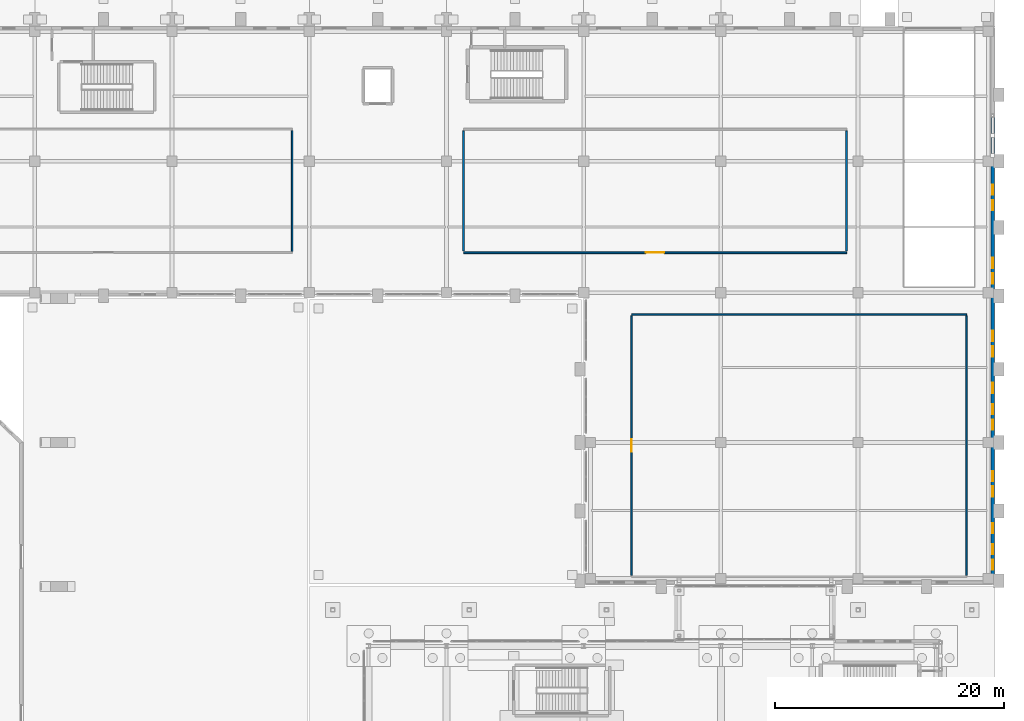
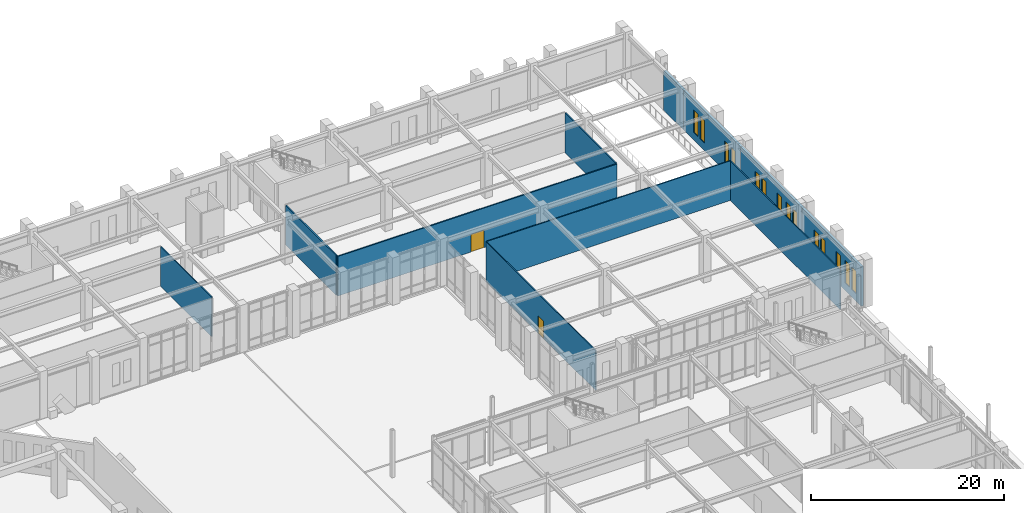
# One storey, part 118 of 143: 14 windows, 11 walls, 2 doors, 16 openings.
"""IFC4 building model written with IfcOpenShell, lengths in metres."""

from ifc_helpers import new_model, si_unit, derived_unit, direction, frame, frame_2d, origin, place, context, subcontext, project, spatial, rectangle, extrude, material, layer, layer_set, type_object, element, fill, save


model = new_model("IFC4")

# Units and contexts
model_context = context("Model", 3, precision=1e-05, world=origin(), true_north=direction((0.0, 1.0)))
body_context = subcontext(model_context, "Body", "Model", "MODEL_VIEW")
ifc_project = project(units=[si_unit("LENGTHUNIT", "METRE"), si_unit("AREAUNIT", "SQUARE_METRE"), si_unit("VOLUMEUNIT", "CUBIC_METRE"), si_unit("PLANEANGLEUNIT", "RADIAN"), si_unit("MASSUNIT", "GRAM", prefix="KILO"), derived_unit("THERMALTRANSMITTANCEUNIT", [(si_unit("MASSUNIT", "GRAM", prefix="KILO"), 1), (si_unit("TIMEUNIT", "SECOND"), -3), (si_unit("THERMODYNAMICTEMPERATUREUNIT", "KELVIN"), -1)])], contexts=[model_context])

# Site, building, storey
site_placement = place(None, origin())
site = spatial("IfcSite", under=ifc_project, at=site_placement, CompositionType="ELEMENT")
building_placement = place(site_placement, origin())
building = spatial("IfcBuilding", under=site, at=building_placement, Name="Valcora Ridge Arena", CompositionType="ELEMENT")
storey_placement = place(building_placement, origin())
storey = spatial("IfcBuildingStorey", under=building, at=storey_placement, Name="L00", CompositionType="ELEMENT", Elevation=0.0)

# Wall, openings, windows
ifc_material_1 = material(Name="Bush-hammered Andean travertine on concrete backup C40/50", Category="masonry")
ifc_layer_1 = layer(ifc_material_1, 0.280029296875, Name="Bush-hammered Andean travertine on concrete backup C40/50")
ifc_layer_set_1 = layer_set([ifc_layer_1], Name="Bush-hammered Andean travertine on concrete backup C40/50")
wall_type_1 = type_object("IfcWallType", Name="TY-WALL-EW-TRV-28-50", PredefinedType="STANDARD", material=ifc_layer_set_1)
wall_1_placement = place(storey_placement, frame((191.780029296875, 83.35009765625, 0.0), z_axis=(0.0, 0.0, 1.0), x_axis=(0.0, 1.0, 0.0)))
wall_1 = element("IfcWall", 1, at=wall_1_placement, inside=storey, type_object=wall_type_1, Name="EW-TRV-28-50 WAL-EW-0121", PredefinedType="STANDARD", context=body_context, shape_type="SweptSolid", body=[
    extrude(rectangle(XDim=12.25, YDim=0.280029296875, at=frame_2d((6.125, 0.0))), origin(), (0.0, 0.0, 1.0), 5.028076171875),
])
opening_1_placement = place(wall_1_placement, frame((1.10009765625, 0.0, 0.949951171875)))
opening_1 = element("IfcOpeningElement", 2, at=opening_1_placement, cuts=wall_1, Name="Opening W-GLAN-90X285", PredefinedType="OPENING", context=body_context, shape_type="SweptSolid", body=[
    extrude(rectangle(XDim=0.89990234375, YDim=2.85009765625, at=frame_2d((0.449951171875, 1.425048828125))), frame((0.0, 0.14990234375, 0.0), z_axis=(0.0, -1.0, 0.0), x_axis=(1.0, 0.0, 0.0)), (0.0, 0.0, 1.0), 0.300048828125),
])
opening_2_placement = place(wall_1_placement, frame((2.449951171875, 0.0, 0.949951171875)))
opening_2 = element("IfcOpeningElement", 3, at=opening_2_placement, cuts=wall_1, Name="Opening W-GLAN-90X285", PredefinedType="OPENING", context=body_context, shape_type="SweptSolid", body=[
    extrude(rectangle(XDim=0.89990234375, YDim=2.85009765625, at=frame_2d((0.449951171875, 1.425048828125))), frame((0.0, 0.14990234375, 0.0), z_axis=(0.0, -1.0, 0.0), x_axis=(1.0, 0.0, 0.0)), (0.0, 0.0, 1.0), 0.300048828125),
])
opening_3_placement = place(wall_1_placement, frame((4.300048828125, 0.0, 0.949951171875)))
opening_3 = element("IfcOpeningElement", 4, at=opening_3_placement, cuts=wall_1, Name="Opening W-GLAN-90X285", PredefinedType="OPENING", context=body_context, shape_type="SweptSolid", body=[
    extrude(rectangle(XDim=0.89990234375, YDim=2.85009765625, at=frame_2d((0.449951171875, 1.425048828125))), frame((0.0, 0.14990234375, 0.0), z_axis=(0.0, -1.0, 0.0), x_axis=(1.0, 0.0, 0.0)), (0.0, 0.0, 1.0), 0.300048828125),
])
opening_4_placement = place(wall_1_placement, frame((7.5, 0.0, 0.949951171875)))
opening_4 = element("IfcOpeningElement", 5, at=opening_4_placement, cuts=wall_1, Name="Opening W-GLAN-90X285", PredefinedType="OPENING", context=body_context, shape_type="SweptSolid", body=[
    extrude(rectangle(XDim=0.89990234375, YDim=2.85009765625, at=frame_2d((0.449951171875, 1.425048828125))), frame((0.0, 0.14990234375, 0.0), z_axis=(0.0, -1.0, 0.0), x_axis=(1.0, 0.0, 0.0)), (0.0, 0.0, 1.0), 0.300048828125),
])
opening_5_placement = place(wall_1_placement, frame((8.85009765625, 0.0, 0.949951171875)))
opening_5 = element("IfcOpeningElement", 6, at=opening_5_placement, cuts=wall_1, Name="Opening W-GLAN-90X285", PredefinedType="OPENING", context=body_context, shape_type="SweptSolid", body=[
    extrude(rectangle(XDim=0.89990234375, YDim=2.85009765625, at=frame_2d((0.449951171875, 1.425048828125))), frame((0.0, 0.14990234375, 0.0), z_axis=(0.0, -1.0, 0.0), x_axis=(1.0, 0.0, 0.0)), (0.0, 0.0, 1.0), 0.300048828125),
])
ifc_material_2 = material(Name="Low-iron solar-control double glazing SHGC 0.28", Category="glass")
window_type = type_object("IfcWindowType", Name="TY-WINDOW-W-GLAN-90X285", PartitioningType="DOUBLE_PANEL_VERTICAL", PredefinedType="WINDOW", material=ifc_material_2)
window_1_placement = place(opening_1_placement, origin())
window_1 = element("IfcWindow", 7, at=window_1_placement, inside=storey, type_object=window_type, Name="W-GLAN-90X285 WIN-EX-0362", OverallHeight=2.85009765625, OverallWidth=0.89990234375, PartitioningType="DOUBLE_PANEL_VERTICAL", PredefinedType="WINDOW", context=body_context, shape_type="SweptSolid", body=[
    extrude(rectangle(XDim=0.89990234375, YDim=2.85009765625, at=frame_2d((0.449951171875, 1.425048828125))), frame((0.0, 0.030029296875, 0.0), z_axis=(0.0, -1.0, 0.0), x_axis=(1.0, 0.0, 0.0)), (0.0, 0.0, 1.0), 0.06005859375),
])
fill(opening_1, window_1)
window_2_placement = place(opening_2_placement, origin())
window_2 = element("IfcWindow", 8, at=window_2_placement, inside=storey, type_object=window_type, Name="W-GLAN-90X285 WIN-EX-0363", OverallHeight=2.85009765625, OverallWidth=0.89990234375, PartitioningType="DOUBLE_PANEL_VERTICAL", PredefinedType="WINDOW", context=body_context, shape_type="SweptSolid", body=[
    extrude(rectangle(XDim=0.89990234375, YDim=2.85009765625, at=frame_2d((0.449951171875, 1.425048828125))), frame((0.0, 0.030029296875, 0.0), z_axis=(0.0, -1.0, 0.0), x_axis=(1.0, 0.0, 0.0)), (0.0, 0.0, 1.0), 0.06005859375),
])
fill(opening_2, window_2)
window_3_placement = place(opening_3_placement, origin())
window_3 = element("IfcWindow", 9, at=window_3_placement, inside=storey, type_object=window_type, Name="W-GLAN-90X285 WIN-EX-0364", OverallHeight=2.85009765625, OverallWidth=0.89990234375, PartitioningType="DOUBLE_PANEL_VERTICAL", PredefinedType="WINDOW", context=body_context, shape_type="SweptSolid", body=[
    extrude(rectangle(XDim=0.89990234375, YDim=2.85009765625, at=frame_2d((0.449951171875, 1.425048828125))), frame((0.0, 0.030029296875, 0.0), z_axis=(0.0, -1.0, 0.0), x_axis=(1.0, 0.0, 0.0)), (0.0, 0.0, 1.0), 0.06005859375),
])
fill(opening_3, window_3)
window_4_placement = place(opening_4_placement, origin())
window_4 = element("IfcWindow", 10, at=window_4_placement, inside=storey, type_object=window_type, Name="W-GLAN-90X285 WIN-EX-0365", OverallHeight=2.85009765625, OverallWidth=0.89990234375, PartitioningType="DOUBLE_PANEL_VERTICAL", PredefinedType="WINDOW", context=body_context, shape_type="SweptSolid", body=[
    extrude(rectangle(XDim=0.89990234375, YDim=2.85009765625, at=frame_2d((0.449951171875, 1.425048828125))), frame((0.0, 0.030029296875, 0.0), z_axis=(0.0, -1.0, 0.0), x_axis=(1.0, 0.0, 0.0)), (0.0, 0.0, 1.0), 0.06005859375),
])
fill(opening_4, window_4)
window_5_placement = place(opening_5_placement, origin())
window_5 = element("IfcWindow", 11, at=window_5_placement, inside=storey, type_object=window_type, Name="W-GLAN-90X285 WIN-EX-0366", OverallHeight=2.85009765625, OverallWidth=0.89990234375, PartitioningType="DOUBLE_PANEL_VERTICAL", PredefinedType="WINDOW", context=body_context, shape_type="SweptSolid", body=[
    extrude(rectangle(XDim=0.89990234375, YDim=2.85009765625, at=frame_2d((0.449951171875, 1.425048828125))), frame((0.0, 0.030029296875, 0.0), z_axis=(0.0, -1.0, 0.0), x_axis=(1.0, 0.0, 0.0)), (0.0, 0.0, 1.0), 0.06005859375),
])
fill(opening_5, window_5)

wall_2_placement = place(storey_placement, frame((191.780029296875, 95.60009765625, 0.0), z_axis=(0.0, 0.0, 1.0), x_axis=(0.0, 1.0, 0.0)))
wall_2 = element("IfcWall", 12, at=wall_2_placement, inside=storey, type_object=wall_type_1, Name="EW-TRV-28-50 WAL-EW-0122", PredefinedType="STANDARD", context=body_context, shape_type="SweptSolid", body=[
    extrude(rectangle(XDim=12.7998046875, YDim=0.280029296875, at=frame_2d((6.39990234375, 0.0))), origin(), (0.0, 0.0, 1.0), 5.028076171875),
])
opening_6_placement = place(wall_2_placement, frame((1.10009765625, 0.0, 0.949951171875)))
opening_6 = element("IfcOpeningElement", 13, at=opening_6_placement, cuts=wall_2, Name="Opening W-GLAN-90X285", PredefinedType="OPENING", context=body_context, shape_type="SweptSolid", body=[
    extrude(rectangle(XDim=0.89990234375, YDim=2.85009765625, at=frame_2d((0.449951171875, 1.425048828125))), frame((0.0, 0.14990234375, 0.0), z_axis=(0.0, -1.0, 0.0), x_axis=(1.0, 0.0, 0.0)), (0.0, 0.0, 1.0), 0.300048828125),
])
opening_7_placement = place(wall_2_placement, frame((2.449951171875, 0.0, 0.949951171875)))
opening_7 = element("IfcOpeningElement", 14, at=opening_7_placement, cuts=wall_2, Name="Opening W-GLAN-90X285", PredefinedType="OPENING", context=body_context, shape_type="SweptSolid", body=[
    extrude(rectangle(XDim=0.89990234375, YDim=2.85009765625, at=frame_2d((0.449951171875, 1.425048828125))), frame((0.0, 0.14990234375, 0.0), z_axis=(0.0, -1.0, 0.0), x_axis=(1.0, 0.0, 0.0)), (0.0, 0.0, 1.0), 0.300048828125),
])
opening_8_placement = place(wall_2_placement, frame((4.300048828125, 0.0, 0.949951171875)))
opening_8 = element("IfcOpeningElement", 15, at=opening_8_placement, cuts=wall_2, Name="Opening W-GLAN-90X285", PredefinedType="OPENING", context=body_context, shape_type="SweptSolid", body=[
    extrude(rectangle(XDim=0.89990234375, YDim=2.85009765625, at=frame_2d((0.449951171875, 1.425048828125))), frame((0.0, 0.14990234375, 0.0), z_axis=(0.0, -1.0, 0.0), x_axis=(1.0, 0.0, 0.0)), (0.0, 0.0, 1.0), 0.300048828125),
])
opening_9_placement = place(wall_2_placement, frame((7.5, 0.0, 0.949951171875)))
opening_9 = element("IfcOpeningElement", 16, at=opening_9_placement, cuts=wall_2, Name="Opening W-GLAN-90X285", PredefinedType="OPENING", context=body_context, shape_type="SweptSolid", body=[
    extrude(rectangle(XDim=0.89990234375, YDim=2.85009765625, at=frame_2d((0.449951171875, 1.425048828125))), frame((0.0, 0.14990234375, 0.0), z_axis=(0.0, -1.0, 0.0), x_axis=(1.0, 0.0, 0.0)), (0.0, 0.0, 1.0), 0.300048828125),
])
opening_10_placement = place(wall_2_placement, frame((8.85009765625, 0.0, 0.949951171875)))
opening_10 = element("IfcOpeningElement", 17, at=opening_10_placement, cuts=wall_2, Name="Opening W-GLAN-90X285", PredefinedType="OPENING", context=body_context, shape_type="SweptSolid", body=[
    extrude(rectangle(XDim=0.89990234375, YDim=2.85009765625, at=frame_2d((0.449951171875, 1.425048828125))), frame((0.0, 0.14990234375, 0.0), z_axis=(0.0, -1.0, 0.0), x_axis=(1.0, 0.0, 0.0)), (0.0, 0.0, 1.0), 0.300048828125),
])
window_6_placement = place(opening_6_placement, origin())
window_6 = element("IfcWindow", 18, at=window_6_placement, inside=storey, type_object=window_type, Name="W-GLAN-90X285 WIN-EX-0367", OverallHeight=2.85009765625, OverallWidth=0.89990234375, PartitioningType="DOUBLE_PANEL_VERTICAL", PredefinedType="WINDOW", context=body_context, shape_type="SweptSolid", body=[
    extrude(rectangle(XDim=0.89990234375, YDim=2.85009765625, at=frame_2d((0.449951171875, 1.425048828125))), frame((0.0, 0.030029296875, 0.0), z_axis=(0.0, -1.0, 0.0), x_axis=(1.0, 0.0, 0.0)), (0.0, 0.0, 1.0), 0.06005859375),
])
fill(opening_6, window_6)
window_7_placement = place(opening_7_placement, origin())
window_7 = element("IfcWindow", 19, at=window_7_placement, inside=storey, type_object=window_type, Name="W-GLAN-90X285 WIN-EX-0368", OverallHeight=2.85009765625, OverallWidth=0.89990234375, PartitioningType="DOUBLE_PANEL_VERTICAL", PredefinedType="WINDOW", context=body_context, shape_type="SweptSolid", body=[
    extrude(rectangle(XDim=0.89990234375, YDim=2.85009765625, at=frame_2d((0.449951171875, 1.425048828125))), frame((0.0, 0.030029296875, 0.0), z_axis=(0.0, -1.0, 0.0), x_axis=(1.0, 0.0, 0.0)), (0.0, 0.0, 1.0), 0.06005859375),
])
fill(opening_7, window_7)
window_8_placement = place(opening_8_placement, origin())
window_8 = element("IfcWindow", 20, at=window_8_placement, inside=storey, type_object=window_type, Name="W-GLAN-90X285 WIN-EX-0369", OverallHeight=2.85009765625, OverallWidth=0.89990234375, PartitioningType="DOUBLE_PANEL_VERTICAL", PredefinedType="WINDOW", context=body_context, shape_type="SweptSolid", body=[
    extrude(rectangle(XDim=0.89990234375, YDim=2.85009765625, at=frame_2d((0.449951171875, 1.425048828125))), frame((0.0, 0.030029296875, 0.0), z_axis=(0.0, -1.0, 0.0), x_axis=(1.0, 0.0, 0.0)), (0.0, 0.0, 1.0), 0.06005859375),
])
fill(opening_8, window_8)
window_9_placement = place(opening_9_placement, origin())
window_9 = element("IfcWindow", 21, at=window_9_placement, inside=storey, type_object=window_type, Name="W-GLAN-90X285 WIN-EX-0370", OverallHeight=2.85009765625, OverallWidth=0.89990234375, PartitioningType="DOUBLE_PANEL_VERTICAL", PredefinedType="WINDOW", context=body_context, shape_type="SweptSolid", body=[
    extrude(rectangle(XDim=0.89990234375, YDim=2.85009765625, at=frame_2d((0.449951171875, 1.425048828125))), frame((0.0, 0.030029296875, 0.0), z_axis=(0.0, -1.0, 0.0), x_axis=(1.0, 0.0, 0.0)), (0.0, 0.0, 1.0), 0.06005859375),
])
fill(opening_9, window_9)
window_10_placement = place(opening_10_placement, origin())
window_10 = element("IfcWindow", 22, at=window_10_placement, inside=storey, type_object=window_type, Name="W-GLAN-90X285 WIN-EX-0371", OverallHeight=2.85009765625, OverallWidth=0.89990234375, PartitioningType="DOUBLE_PANEL_VERTICAL", PredefinedType="WINDOW", context=body_context, shape_type="SweptSolid", body=[
    extrude(rectangle(XDim=0.89990234375, YDim=2.85009765625, at=frame_2d((0.449951171875, 1.425048828125))), frame((0.0, 0.030029296875, 0.0), z_axis=(0.0, -1.0, 0.0), x_axis=(1.0, 0.0, 0.0)), (0.0, 0.0, 1.0), 0.06005859375),
])
fill(opening_10, window_10)

wall_3_placement = place(storey_placement, frame((191.780029296875, 108.39990234375, 0.0), z_axis=(0.0, 0.0, 1.0), x_axis=(0.0, 1.0, 0.0)))
wall_3 = element("IfcWall", 23, at=wall_3_placement, inside=storey, type_object=wall_type_1, Name="EW-TRV-28-50 WAL-EW-0123", PredefinedType="STANDARD", context=body_context, shape_type="SweptSolid", body=[
    extrude(rectangle(XDim=11.800048828125, YDim=0.280029296875, at=frame_2d((5.89990234375, 0.0))), origin(), (0.0, 0.0, 1.0), 5.028076171875),
])
opening_11_placement = place(wall_3_placement, frame((1.10009765625, 0.0, 0.949951171875)))
opening_11 = element("IfcOpeningElement", 24, at=opening_11_placement, cuts=wall_3, Name="Opening W-GLAN-90X285", PredefinedType="OPENING", context=body_context, shape_type="SweptSolid", body=[
    extrude(rectangle(XDim=0.89990234375, YDim=2.85009765625, at=frame_2d((0.449951171875, 1.425048828125))), frame((0.0, 0.14990234375, 0.0), z_axis=(0.0, -1.0, 0.0), x_axis=(1.0, 0.0, 0.0)), (0.0, 0.0, 1.0), 0.300048828125),
])
opening_12_placement = place(wall_3_placement, frame((2.449951171875, 0.0, 0.949951171875)))
opening_12 = element("IfcOpeningElement", 25, at=opening_12_placement, cuts=wall_3, Name="Opening W-GLAN-90X285", PredefinedType="OPENING", context=body_context, shape_type="SweptSolid", body=[
    extrude(rectangle(XDim=0.89990234375, YDim=2.85009765625, at=frame_2d((0.449951171875, 1.425048828125))), frame((0.0, 0.14990234375, 0.0), z_axis=(0.0, -1.0, 0.0), x_axis=(1.0, 0.0, 0.0)), (0.0, 0.0, 1.0), 0.300048828125),
])
opening_13_placement = place(wall_3_placement, frame((7.5, 0.0, 0.949951171875)))
opening_13 = element("IfcOpeningElement", 26, at=opening_13_placement, cuts=wall_3, Name="Opening W-GLAN-90X285", PredefinedType="OPENING", context=body_context, shape_type="SweptSolid", body=[
    extrude(rectangle(XDim=0.89990234375, YDim=2.85009765625, at=frame_2d((0.449951171875, 1.425048828125))), frame((0.0, 0.14990234375, 0.0), z_axis=(0.0, -1.0, 0.0), x_axis=(1.0, 0.0, 0.0)), (0.0, 0.0, 1.0), 0.300048828125),
])
opening_14_placement = place(wall_3_placement, frame((8.85009765625, 0.0, 0.949951171875)))
opening_14 = element("IfcOpeningElement", 27, at=opening_14_placement, cuts=wall_3, Name="Opening W-GLAN-90X285", PredefinedType="OPENING", context=body_context, shape_type="SweptSolid", body=[
    extrude(rectangle(XDim=0.89990234375, YDim=2.85009765625, at=frame_2d((0.449951171875, 1.425048828125))), frame((0.0, 0.14990234375, 0.0), z_axis=(0.0, -1.0, 0.0), x_axis=(1.0, 0.0, 0.0)), (0.0, 0.0, 1.0), 0.300048828125),
])
window_11_placement = place(opening_11_placement, origin())
window_11 = element("IfcWindow", 28, at=window_11_placement, inside=storey, type_object=window_type, Name="W-GLAN-90X285 WIN-EX-0372", OverallHeight=2.85009765625, OverallWidth=0.89990234375, PartitioningType="DOUBLE_PANEL_VERTICAL", PredefinedType="WINDOW", context=body_context, shape_type="SweptSolid", body=[
    extrude(rectangle(XDim=0.89990234375, YDim=2.85009765625, at=frame_2d((0.449951171875, 1.425048828125))), frame((0.0, 0.030029296875, 0.0), z_axis=(0.0, -1.0, 0.0), x_axis=(1.0, 0.0, 0.0)), (0.0, 0.0, 1.0), 0.06005859375),
])
fill(opening_11, window_11)
window_12_placement = place(opening_12_placement, origin())
window_12 = element("IfcWindow", 29, at=window_12_placement, inside=storey, type_object=window_type, Name="W-GLAN-90X285 WIN-EX-0373", OverallHeight=2.85009765625, OverallWidth=0.89990234375, PartitioningType="DOUBLE_PANEL_VERTICAL", PredefinedType="WINDOW", context=body_context, shape_type="SweptSolid", body=[
    extrude(rectangle(XDim=0.89990234375, YDim=2.85009765625, at=frame_2d((0.449951171875, 1.425048828125))), frame((0.0, 0.030029296875, 0.0), z_axis=(0.0, -1.0, 0.0), x_axis=(1.0, 0.0, 0.0)), (0.0, 0.0, 1.0), 0.06005859375),
])
fill(opening_12, window_12)
window_13_placement = place(opening_13_placement, origin())
window_13 = element("IfcWindow", 30, at=window_13_placement, inside=storey, type_object=window_type, Name="W-GLAN-90X285 WIN-EX-0374", OverallHeight=2.85009765625, OverallWidth=0.89990234375, PartitioningType="DOUBLE_PANEL_VERTICAL", PredefinedType="WINDOW", context=body_context, shape_type="SweptSolid", body=[
    extrude(rectangle(XDim=0.89990234375, YDim=2.85009765625, at=frame_2d((0.449951171875, 1.425048828125))), frame((0.0, 0.030029296875, 0.0), z_axis=(0.0, -1.0, 0.0), x_axis=(1.0, 0.0, 0.0)), (0.0, 0.0, 1.0), 0.06005859375),
])
fill(opening_13, window_13)
window_14_placement = place(opening_14_placement, origin())
window_14 = element("IfcWindow", 31, at=window_14_placement, inside=storey, type_object=window_type, Name="W-GLAN-90X285 WIN-EX-0375", OverallHeight=2.85009765625, OverallWidth=0.89990234375, PartitioningType="DOUBLE_PANEL_VERTICAL", PredefinedType="WINDOW", context=body_context, shape_type="SweptSolid", body=[
    extrude(rectangle(XDim=0.89990234375, YDim=2.85009765625, at=frame_2d((0.449951171875, 1.425048828125))), frame((0.0, 0.030029296875, 0.0), z_axis=(0.0, -1.0, 0.0), x_axis=(1.0, 0.0, 0.0)), (0.0, 0.0, 1.0), 0.06005859375),
])
fill(opening_14, window_14)

# Wall
wall_4_placement = place(storey_placement, frame((191.780029296875, 120.199951171875, 0.0), z_axis=(0.0, 0.0, 1.0), x_axis=(0.0, 1.0, 0.0)))
element("IfcWall", 32, at=wall_4_placement, inside=storey, type_object=wall_type_1, Name="EW-TRV-28-50 WAL-EW-0124", PredefinedType="STANDARD", context=body_context, shape_type="SweptSolid", body=[
    extrude(rectangle(XDim=4.150146484375, YDim=0.280029296875, at=frame_2d((2.0751953125, 0.0))), origin(), (0.0, 0.0, 1.0), 5.028076171875),
])

# Wall, opening, door
ifc_material_3 = material(Name="Fire-rated masonry-core compartment wall C35/45 150 mm", Category="masonry")
ifc_layer_2 = layer(ifc_material_3, 0.14990234375, Name="Fire-rated masonry-core compartment wall C35/45 150 mm")
ifc_layer_set_2 = layer_set([ifc_layer_2], Name="Fire-rated masonry-core compartment wall C35/45 150 mm")
wall_type_2 = type_object("IfcWallType", Name="TY-WALL-IW-COMP-150", PredefinedType="STANDARD", material=ifc_layer_set_2)
wall_5_placement = place(storey_placement, frame((145.5, 112.199951171875, 0.0), z_axis=(0.0, 0.0, 1.0), x_axis=(1.0, 0.0, 0.0)))
wall_5 = element("IfcWall", 33, at=wall_5_placement, inside=storey, type_object=wall_type_2, Name="IW-COMP-150 WAL-IN-0281", PredefinedType="STANDARD", context=body_context, shape_type="SweptSolid", body=[
    extrude(rectangle(XDim=33.5, YDim=0.14990234375, at=frame_2d((16.75, 0.0))), origin(), (0.0, 0.0, 1.0), 5.028076171875),
])
opening_15_placement = place(wall_5_placement, frame((15.949951171875, 0.0, 0.0)))
opening_15 = element("IfcOpeningElement", 34, at=opening_15_placement, cuts=wall_5, Name="Opening FD-STR-1600", PredefinedType="OPENING", context=body_context, shape_type="SweptSolid", body=[
    extrude(rectangle(XDim=1.60009765625, YDim=2.25, at=frame_2d((0.800048828125, 1.125))), frame((0.0, 0.0849609375, 0.0), z_axis=(0.0, -1.0, 0.0), x_axis=(1.0, 0.0, 0.0)), (0.0, 0.0, 1.0), 0.169921875),
])
ifc_material_4 = material(Name="Insulated fire-rated steel door leaf", Category="steel")
door_type_1 = type_object("IfcDoorType", Name="TY-DOOR-FD-STR-1600", OperationType="NOTDEFINED", PredefinedType="DOOR", material=ifc_material_4)
door_1_placement = place(opening_15_placement, origin())
door_1 = element("IfcDoor", 35, at=door_1_placement, inside=storey, type_object=door_type_1, Name="FD-STR-1600 DOR-IN-0075", OperationType="DOUBLE_DOOR_SINGLE_SWING", OverallHeight=2.25, OverallWidth=1.60009765625, PredefinedType="DOOR", context=body_context, shape_type="SweptSolid", body=[
    extrude(rectangle(XDim=1.60009765625, YDim=2.25, at=frame_2d((0.800048828125, 1.125))), frame((0.0, 0.02490234375, 0.0), z_axis=(0.0, -1.0, 0.0), x_axis=(1.0, 0.0, 0.0)), (0.0, 0.0, 1.0), 0.050048828125),
])
fill(opening_15, door_1)

# Walls
for number, where, z_axis, x_axis, name in (
    (36, (145.5, 112.35009765625, 0.0), (0.0, 0.0, 1.0), (0.0, 1.0, 0.0), "IW-COMP-150 WAL-IN-0283"),
    (37, (179.0, 112.35009765625, 0.0), (0.0, 0.0, 1.0), (0.0, 1.0, 0.0), "IW-COMP-150 WAL-IN-0284"),
):
    element("IfcWall", number, at=place(storey_placement, frame(where, z_axis=z_axis, x_axis=x_axis)), inside=storey, type_object=wall_type_2, Name=name, PredefinedType="STANDARD", context=body_context, shape_type="SweptSolid", body=[
        extrude(rectangle(XDim=10.5, YDim=0.14990234375, at=frame_2d((5.25, 0.0))), origin(), (0.0, 0.0, 1.0), 5.028076171875),
    ])
ifc_material_5 = material(Name="Acoustic metal-stud gypsum partition 120 mm")
ifc_layer_3 = layer(ifc_material_5, 0.1201171875, Name="Acoustic metal-stud gypsum partition 120 mm")
ifc_layer_set_3 = layer_set([ifc_layer_3], Name="Acoustic metal-stud gypsum partition 120 mm")
wall_type_3 = type_object("IfcWallType", Name="TY-WALL-IW-PART-120", PredefinedType="PARTITIONING", material=ifc_layer_set_3)
wall_6_placement = place(storey_placement, frame((130.5, 112.320068359375, 0.0), z_axis=(0.0, 0.0, 1.0), x_axis=(0.0, 1.0, 0.0)))
element("IfcWall", 38, at=wall_6_placement, inside=storey, type_object=wall_type_3, Name="IW-PART-120 WAL-IN-0280", PredefinedType="PARTITIONING", context=body_context, shape_type="SweptSolid", body=[
    extrude(rectangle(XDim=10.559814453125, YDim=0.1201171875, at=frame_2d((5.27978515625, 0.0))), origin(), (0.0, 0.0, 1.0), 5.028076171875),
])
wall_7_placement = place(storey_placement, frame((160.199951171875, 106.800048828125, 0.0), z_axis=(0.0, 0.0, 1.0), x_axis=(1.0, 0.0, 0.0)))
element("IfcWall", 39, at=wall_7_placement, inside=storey, type_object=wall_type_3, Name="IW-PART-120 WAL-IN-0286", PredefinedType="PARTITIONING", context=body_context, shape_type="SweptSolid", body=[
    extrude(rectangle(XDim=29.300048828125, YDim=0.1201171875, at=frame_2d((14.64990234375, 0.0))), origin(), (0.0, 0.0, 1.0), 5.028076171875),
])

# Wall, opening, door
wall_8_placement = place(storey_placement, frame((160.199951171875, 83.969970703125, 0.0), z_axis=(0.0, 0.0, 1.0), x_axis=(0.0, 1.0, 0.0)))
wall_8 = element("IfcWall", 40, at=wall_8_placement, inside=storey, type_object=wall_type_3, Name="IW-PART-120 WAL-IN-0287", PredefinedType="PARTITIONING", context=body_context, shape_type="SweptSolid", body=[
    extrude(rectangle(XDim=22.7099609375, YDim=0.1201171875, at=frame_2d((11.35498046875, 0.0))), origin(), (0.0, 0.0, 1.0), 5.028076171875),
])
opening_16_placement = place(wall_8_placement, frame((10.804931640625, 0.0, 0.0)))
opening_16 = element("IfcOpeningElement", 41, at=opening_16_placement, cuts=wall_8, Name="Opening D-INT-1100", PredefinedType="OPENING", context=body_context, shape_type="SweptSolid", body=[
    extrude(rectangle(XDim=1.10009765625, YDim=2.199951171875, at=frame_2d((0.550048828125, 1.10009765625))), frame((0.0, 0.070068359375, 0.0), z_axis=(0.0, -1.0, 0.0), x_axis=(1.0, 0.0, 0.0)), (0.0, 0.0, 1.0), 0.14013671875),
])
ifc_material_6 = material(Name="Solid-core acoustic timber veneer door leaf", Category="wood")
door_type_2 = type_object("IfcDoorType", Name="TY-DOOR-D-INT-1100", OperationType="NOTDEFINED", PredefinedType="DOOR", material=ifc_material_6)
door_2_placement = place(opening_16_placement, origin())
door_2 = element("IfcDoor", 42, at=door_2_placement, inside=storey, type_object=door_type_2, Name="D-INT-1100 DOR-IN-0076", OperationType="SINGLE_SWING_RIGHT", OverallHeight=2.199951171875, OverallWidth=1.10009765625, PredefinedType="DOOR", context=body_context, shape_type="SweptSolid", body=[
    extrude(rectangle(XDim=1.10009765625, YDim=2.199951171875, at=frame_2d((0.550048828125, 1.10009765625))), frame((0.0, 0.02490234375, 0.0), z_axis=(0.0, -1.0, 0.0), x_axis=(1.0, 0.0, 0.0)), (0.0, 0.0, 1.0), 0.050048828125),
])
fill(opening_16, door_2)

# Wall
wall_9_placement = place(storey_placement, frame((189.5, 83.969970703125, 0.0), z_axis=(0.0, 0.0, 1.0), x_axis=(0.0, 1.0, 0.0)))
element("IfcWall", 43, at=wall_9_placement, inside=storey, type_object=wall_type_3, Name="IW-PART-120 WAL-IN-0288", PredefinedType="PARTITIONING", context=body_context, shape_type="SweptSolid", body=[
    extrude(rectangle(XDim=22.7099609375, YDim=0.1201171875, at=frame_2d((11.35498046875, 0.0))), origin(), (0.0, 0.0, 1.0), 5.028076171875),
])

save(model, "model.ifc")
